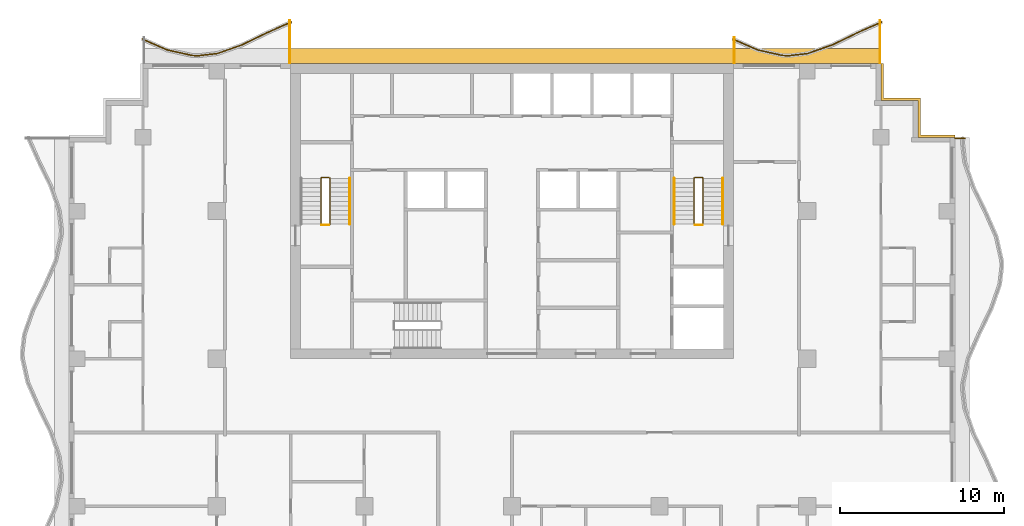
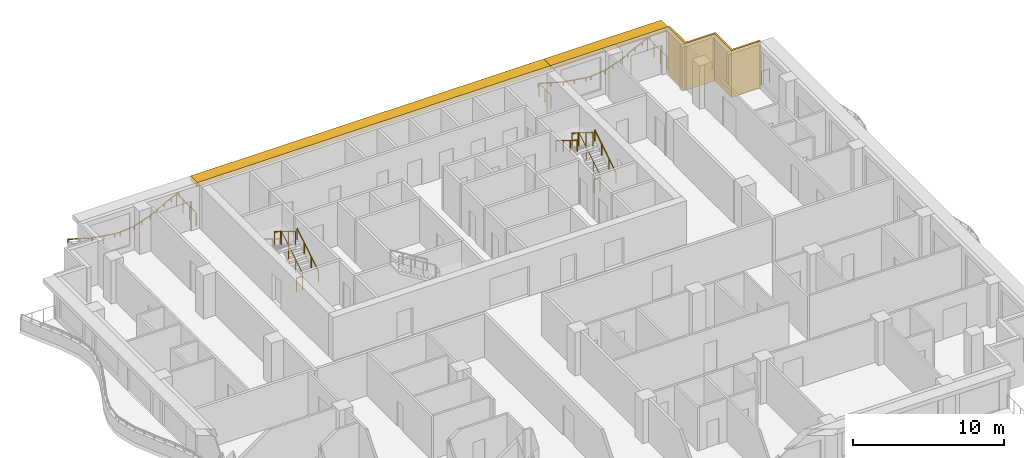
# One storey, part 11 of 11: 13 railings, 3 shading devices.
"""IFC4 building model written with IfcOpenShell, lengths in metres."""

import ifcopenshell
import ifcopenshell.guid

model = None  # the IFC model being written
_history = None  # IfcOwnerHistory: only IFC2X3 demands one
_inside = {}  # id of a spatial element -> (the spatial element, [elements in it])
_under = {}  # id of a project, library or spatial element -> (it, [spatial elements below it])
_declared = {}  # id of a project -> (the project, [libraries it declares])
_typed = {}  # id of a type object -> (the type object, [elements of that type])
_made_of = {}  # id of a material, layer set ... -> (it, [elements and type objects made of it])


def new_model(schema):
    """Start an empty IFC model of exactly this schema.

    Asked for "IFC4X3", IfcOpenShell would pick the latest addendum, in which some entities
    have other attributes; the version numbers below select the first issue.
    IFC2X3 requires an IfcOwnerHistory on every rooted entity: one is made here for all.
    """
    global model, _history
    if schema == "IFC4X3":
        model = ifcopenshell.file(schema_version=(4, 3, 0, 0))
    else:
        model = ifcopenshell.file(schema=schema)
    _inside.clear()
    _under.clear()
    _declared.clear()
    _typed.clear()
    _made_of.clear()
    _history = None
    if model.schema == "IFC2X3":
        org = make("IfcOrganization", Name="unknown")
        user = make(
            "IfcPersonAndOrganization",
            ThePerson=make("IfcPerson", FamilyName="unknown"),
            TheOrganization=org,
        )
        app = make(
            "IfcApplication",
            ApplicationDeveloper=org,
            Version="unknown",
            ApplicationFullName="unknown",
            ApplicationIdentifier="unknown",
        )
        _history = make(
            "IfcOwnerHistory",
            OwningUser=user,
            OwningApplication=app,
            ChangeAction="ADDED",
            CreationDate=0,
        )
    return model


def make(cls, **values):
    """One entity of the class cls with the attributes given. An attribute that is None is left unset."""
    return model.create_entity(
        cls, **{name: value for name, value in values.items() if value is not None}
    )


def rooted(cls, **values):
    """An entity with a GlobalId (a new one), such as an element, a storey or a relation."""
    return make(cls, GlobalId=ifcopenshell.guid.new(), OwnerHistory=_history, **values)


def si_unit(unit_type, name, prefix=None):
    """IfcSIUnit, for example si_unit("LENGTHUNIT", "METRE", prefix="MILLI")."""
    return make("IfcSIUnit", UnitType=unit_type, Prefix=prefix, Name=name)


def assignment(units):
    """IfcUnitAssignment: the units of a project."""
    return None if units is None else make("IfcUnitAssignment", Units=units)


def point(xyz):
    """IfcCartesianPoint."""
    return None if xyz is None else make("IfcCartesianPoint", Coordinates=xyz)


def direction(xyz):
    """IfcDirection."""
    return None if xyz is None else make("IfcDirection", DirectionRatios=xyz)


def frame(location, z_axis=None, x_axis=None):
    """IfcAxis2Placement3D, a coordinate frame: its origin and axes. An axis left out is left unset."""
    return make(
        "IfcAxis2Placement3D",
        Location=point(location),
        Axis=direction(z_axis),
        RefDirection=direction(x_axis),
    )


def frame_2d(location, x_axis=None):
    """IfcAxis2Placement2D, a coordinate frame in the plane: its origin and x axis."""
    return make(
        "IfcAxis2Placement2D", Location=point(location), RefDirection=direction(x_axis)
    )


def origin():
    """The frame at (0, 0, 0) with its axes left unset."""
    return frame((0.0, 0.0, 0.0))


def origin_2d():
    """The frame at (0, 0) in the plane with its x axis left unset."""
    return frame_2d((0.0, 0.0))


def place(relative_to, where):
    """IfcLocalPlacement: puts the frame where relative to a parent placement (None: the world)."""
    return make(
        "IfcLocalPlacement", PlacementRelTo=relative_to, RelativePlacement=where
    )


def context(
    kind, dimensions, precision=None, world=None, true_north=None, identifier=None
):
    """IfcGeometricRepresentationContext, for example the 3D "Model" context."""
    return make(
        "IfcGeometricRepresentationContext",
        ContextIdentifier=identifier,
        ContextType=kind,
        CoordinateSpaceDimension=dimensions,
        Precision=precision,
        WorldCoordinateSystem=world,
        TrueNorth=true_north,
    )


def subcontext(parent, identifier, kind, view, scale=None):
    """IfcGeometricRepresentationSubContext, for example "Body" below "Model"."""
    return make(
        "IfcGeometricRepresentationSubContext",
        ContextIdentifier=identifier,
        ContextType=kind,
        ParentContext=parent,
        TargetScale=scale,
        TargetView=view,
    )


def project(units=None, contexts=None):
    """IfcProject with its units and contexts."""
    return rooted(
        "IfcProject",
        Name="project",
        RepresentationContexts=contexts,
        UnitsInContext=assignment(units),
    )


def spatial(cls, under=None, at=None, **own):
    """A site, building, storey or space (cls), placed at a placement, below another one or the project."""
    s = rooted(cls, ObjectPlacement=at, **own)
    if under is not None:
        _under.setdefault(under.id(), (under, []))[1].append(s)
    return s


def polyline(points):
    """IfcPolyline through the points."""
    return make("IfcPolyline", Points=[point(p) for p in points])


def profile(cls, at=None, kind="AREA", **sizes):
    """A parametric profile (cls). Its sizes go by their IFC names, for example OverallWidth=200.0."""
    return make(cls, ProfileType=kind, Position=at, **sizes)


def rectangle(**sizes):
    """IfcRectangleProfileDef."""
    return profile("IfcRectangleProfileDef", **sizes)


def circle(**sizes):
    """IfcCircleProfileDef."""
    return profile("IfcCircleProfileDef", **sizes)


def outline(outer, holes=None, kind="AREA"):
    """IfcArbitraryClosedProfileDef: a profile drawn as a closed curve; with holes, ...WithVoids."""
    if holes is None:
        return make("IfcArbitraryClosedProfileDef", ProfileType=kind, OuterCurve=outer)
    return make(
        "IfcArbitraryProfileDefWithVoids",
        ProfileType=kind,
        OuterCurve=outer,
        InnerCurves=holes,
    )


def extrude(swept, where, along, depth):
    """IfcExtrudedAreaSolid: the profile swept, set in the frame where, extruded along a direction by depth."""
    return make(
        "IfcExtrudedAreaSolid",
        SweptArea=swept,
        Position=where,
        ExtrudedDirection=direction(along),
        Depth=depth,
    )


def shape(context_of_items, identifier, shape_type, items):
    """IfcShapeRepresentation: the items that make up one representation, for example the "Body"."""
    return make(
        "IfcShapeRepresentation",
        ContextOfItems=context_of_items,
        RepresentationIdentifier=identifier,
        RepresentationType=shape_type,
        Items=items,
    )


def material(Name=None, Category=None):
    """IfcMaterial."""
    return make("IfcMaterial", Name=Name, Category=Category)


def layer(
    of_material, thickness, ventilated=None, Name=None, Category=None, Priority=None
):
    """IfcMaterialLayer: one layer of a wall or slab, of a material (None: an air gap)."""
    return make(
        "IfcMaterialLayer",
        Material=of_material,
        LayerThickness=thickness,
        IsVentilated=ventilated,
        Name=Name,
        Category=Category,
        Priority=Priority,
    )


def layer_set(layers, Name=None):
    """IfcMaterialLayerSet."""
    return make("IfcMaterialLayerSet", MaterialLayers=layers, LayerSetName=Name)


def made_of(thing, what):
    """Note that an element or type object is made of a material, layer set ...; save() writes the relation."""
    if what is not None:
        _made_of.setdefault(what.id(), (what, []))[1].append(thing)
    return thing


def type_object(cls, material=None, **own):
    """A type object (cls), such as IfcWallType, which elements share."""
    return made_of(rooted(cls, **own), material)


def element(
    cls,
    number,
    at=None,
    inside=None,
    cuts=None,
    type_object=None,
    material=None,
    context=None,
    identifier="Body",
    shape_type=None,
    held_by="IfcProductDefinitionShape",
    body=None,
    shapes=None,
    **own,
):
    """One element of the class cls, such as IfcWall. Its Tag is "e" and its number.

    at: its placement. inside: the storey or other place that contains it. cuts: it is an
    opening in that element (IfcRelVoidsElement). A single representation is given by context,
    identifier, shape_type and body (its items); several are given by shapes. held_by: the class
    of the entity that holds the representations. save() writes the other relations.
    """
    e = rooted(cls, Tag="e%d" % number, ObjectPlacement=at, **own)
    if body is not None:
        shapes = [shape(context, identifier, shape_type, body)]
    if shapes is not None:
        e.Representation = make(held_by, Representations=shapes)
    if inside is not None:
        _inside.setdefault(inside.id(), (inside, []))[1].append(e)
    if cuts is not None:
        rooted(
            "IfcRelVoidsElement", RelatingBuildingElement=cuts, RelatedOpeningElement=e
        )
    if type_object is not None:
        _typed.setdefault(type_object.id(), (type_object, []))[1].append(e)
    return made_of(e, material)


def aggregate(whole, parts):
    """IfcRelAggregates: a whole, such as a stair, and the parts it consists of."""
    return rooted("IfcRelAggregates", RelatingObject=whole, RelatedObjects=parts)


def save(model, path):
    """Write the relations noted so far, then the file.

    IfcRelAggregates (storeys below a building ...), IfcRelContainedInSpatialStructure (elements
    in a storey), IfcRelDefinesByType, IfcRelAssociatesMaterial and IfcRelDeclares: one each for
    every whole, place, type object, material and project.
    """
    for whole, parts in _under.values():
        aggregate(whole, parts)
    for where, things in _inside.values():
        rooted(
            "IfcRelContainedInSpatialStructure",
            RelatedElements=things,
            RelatingStructure=where,
        )
    for kind, things in _typed.values():
        rooted("IfcRelDefinesByType", RelatedObjects=things, RelatingType=kind)
    for what, things in _made_of.values():
        rooted("IfcRelAssociatesMaterial", RelatedObjects=things, RelatingMaterial=what)
    for by, libraries in _declared.values():
        rooted("IfcRelDeclares", RelatingContext=by, RelatedDefinitions=libraries)
    model.write(path)


model = new_model("IFC4")

# Units and contexts
model_context = context("Model", 3, precision=1e-05, world=origin(), true_north=direction((0.0, 1.0)))
body_context = subcontext(model_context, "Body", "Model", "MODEL_VIEW")
ifc_project = project(units=[si_unit("LENGTHUNIT", "METRE"), si_unit("AREAUNIT", "SQUARE_METRE"), si_unit("VOLUMEUNIT", "CUBIC_METRE"), si_unit("PLANEANGLEUNIT", "RADIAN"), si_unit("MASSUNIT", "GRAM", prefix="KILO")], contexts=[model_context])

# Site, building, storey
site_placement = place(None, origin())
site = spatial("IfcSite", under=ifc_project, at=site_placement, CompositionType="ELEMENT")
building_placement = place(site_placement, origin())
building = spatial("IfcBuilding", under=site, at=building_placement, Name="Orbiselva Terraces", CompositionType="ELEMENT")
storey_placement = place(building_placement, frame((0.0, 0.0, 222.4)))
storey = spatial("IfcBuildingStorey", under=building, at=storey_placement, Name="L56", CompositionType="ELEMENT", Elevation=222.4)

# Railings
ifc_material_1 = material(Name="Stainless steel", Category="steel")
railing_type_1 = type_object("IfcRailingType", Name="CORE-GUARD-1100", PredefinedType="GUARDRAIL", material=ifc_material_1)
railing_1_placement = place(storey_placement, frame((-11.1, 12.7, 0.172727)))
element("IfcRailing", 1, at=railing_1_placement, inside=storey, type_object=railing_type_1, Name="L56 S1 stair guard 1", PredefinedType="GUARDRAIL", context=body_context, shape_type="SweptSolid", body=[
    extrude(circle(Radius=0.024, at=origin_2d()), frame((0.0, 0.0, 1.081), z_axis=(0.0, 0.851088519012, 0.52502222125), x_axis=(-1.0, 0.0, 0.0)), (0.0, 0.0, 1.0), 3.289905),
    extrude(circle(Radius=0.024, at=origin_2d()), frame((0.0, 2.8, 2.808273), z_axis=(-0.707106781187, 0.707106781187, 0.0), x_axis=(-0.707106781187, -0.707106781187, 0.0)), (0.0, 0.0, 1.0), 0.070711),
    extrude(circle(Radius=0.024, at=origin_2d()), frame((-0.05, 2.85, 2.808273), z_axis=(-1.0, 0.0, 0.0), x_axis=(0.0, -1.0, 0.0)), (0.0, 0.0, 1.0), 0.45),
    extrude(circle(Radius=0.024, at=origin_2d()), frame((-0.5, 2.85, 2.808273), z_axis=(-0.267894925557, -0.267894925557, 0.925453736133), x_axis=(0.707106781187, -0.707106781187, 0.0)), (0.0, 0.0, 1.0), 0.18664),
    extrude(circle(Radius=0.024, at=origin_2d()), frame((-0.55, 2.8, 2.981), z_axis=(0.0, -0.851088519012, 0.52502222125), x_axis=(1.0, 0.0, 0.0)), (0.0, 0.0, 1.0), 3.289905),
    extrude(circle(Radius=0.021, at=origin_2d()), origin(), (0.0, 0.0, 1.0), 1.057),
    extrude(circle(Radius=0.021, at=origin_2d()), frame((0.0, 0.933333, 0.575758)), (0.0, 0.0, 1.0), 1.057),
    extrude(circle(Radius=0.021, at=origin_2d()), frame((0.0, 1.866667, 1.151515)), (0.0, 0.0, 1.0), 1.057),
    extrude(circle(Radius=0.021, at=origin_2d()), frame((0.0, 2.8, 1.727273)), (0.0, 0.0, 1.0), 1.057),
    extrude(circle(Radius=0.021, at=origin_2d()), frame((-0.05, 2.85, 1.727273)), (0.0, 0.0, 1.0), 1.057),
    extrude(circle(Radius=0.021, at=origin_2d()), frame((-0.5, 2.85, 1.727273)), (0.0, 0.0, 1.0), 1.057),
    extrude(circle(Radius=0.021, at=origin_2d()), frame((-0.55, 2.8, 1.9)), (0.0, 0.0, 1.0), 1.057),
    extrude(circle(Radius=0.021, at=origin_2d()), frame((-0.55, 1.866667, 2.475758)), (0.0, 0.0, 1.0), 1.057),
    extrude(circle(Radius=0.021, at=origin_2d()), frame((-0.55, 0.933333, 3.051515)), (0.0, 0.0, 1.0), 1.057),
    extrude(circle(Radius=0.021, at=origin_2d()), frame((-0.55, 0.0, 3.627273)), (0.0, 0.0, 1.0), 1.057),
])
railing_2_placement = place(storey_placement, frame((-11.15, 12.65, 0.0)))
element("IfcRailing", 2, at=railing_2_placement, inside=storey, type_object=railing_type_1, Name="L56 S1 stair guard 2", PredefinedType="GUARDRAIL", context=body_context, shape_type="SweptSolid", body=[
    extrude(circle(Radius=0.024, at=origin_2d()), frame((0.0, 0.0, 1.081), z_axis=(-1.0, 0.0, 0.0), x_axis=(0.0, -1.0, 0.0)), (0.0, 0.0, 1.0), 0.45),
    extrude(circle(Radius=0.021, at=origin_2d()), origin(), (0.0, 0.0, 1.0), 1.057),
    extrude(circle(Radius=0.021, at=origin_2d()), frame((-0.45, 0.0, 0.0)), (0.0, 0.0, 1.0), 1.057),
])
railing_3_placement = place(storey_placement, frame((11.65, 12.7, 0.172727)))
element("IfcRailing", 3, at=railing_3_placement, inside=storey, type_object=railing_type_1, Name="L56 S2 stair guard 1", PredefinedType="GUARDRAIL", context=body_context, shape_type="SweptSolid", body=[
    extrude(circle(Radius=0.024, at=origin_2d()), frame((0.0, 0.0, 1.081), z_axis=(0.0, 0.851088519012, 0.52502222125), x_axis=(-1.0, 0.0, 0.0)), (0.0, 0.0, 1.0), 3.289905),
    extrude(circle(Radius=0.024, at=origin_2d()), frame((0.0, 2.8, 2.808273), z_axis=(-0.707106781187, 0.707106781187, 0.0), x_axis=(-0.707106781187, -0.707106781187, 0.0)), (0.0, 0.0, 1.0), 0.070711),
    extrude(circle(Radius=0.024, at=origin_2d()), frame((-0.05, 2.85, 2.808273), z_axis=(-1.0, 0.0, 0.0), x_axis=(0.0, -1.0, 0.0)), (0.0, 0.0, 1.0), 0.45),
    extrude(circle(Radius=0.024, at=origin_2d()), frame((-0.5, 2.85, 2.808273), z_axis=(-0.267894925557, -0.267894925557, 0.925453736133), x_axis=(0.707106781187, -0.707106781187, 0.0)), (0.0, 0.0, 1.0), 0.18664),
    extrude(circle(Radius=0.024, at=origin_2d()), frame((-0.55, 2.8, 2.981), z_axis=(0.0, -0.851088519012, 0.52502222125), x_axis=(1.0, 0.0, 0.0)), (0.0, 0.0, 1.0), 3.289905),
    extrude(circle(Radius=0.021, at=origin_2d()), origin(), (0.0, 0.0, 1.0), 1.057),
    extrude(circle(Radius=0.021, at=origin_2d()), frame((0.0, 0.933333, 0.575758)), (0.0, 0.0, 1.0), 1.057),
    extrude(circle(Radius=0.021, at=origin_2d()), frame((0.0, 1.866667, 1.151515)), (0.0, 0.0, 1.0), 1.057),
    extrude(circle(Radius=0.021, at=origin_2d()), frame((0.0, 2.8, 1.727273)), (0.0, 0.0, 1.0), 1.057),
    extrude(circle(Radius=0.021, at=origin_2d()), frame((-0.05, 2.85, 1.727273)), (0.0, 0.0, 1.0), 1.057),
    extrude(circle(Radius=0.021, at=origin_2d()), frame((-0.5, 2.85, 1.727273)), (0.0, 0.0, 1.0), 1.057),
    extrude(circle(Radius=0.021, at=origin_2d()), frame((-0.55, 2.8, 1.9)), (0.0, 0.0, 1.0), 1.057),
    extrude(circle(Radius=0.021, at=origin_2d()), frame((-0.55, 1.866667, 2.475758)), (0.0, 0.0, 1.0), 1.057),
    extrude(circle(Radius=0.021, at=origin_2d()), frame((-0.55, 0.933333, 3.051515)), (0.0, 0.0, 1.0), 1.057),
    extrude(circle(Radius=0.021, at=origin_2d()), frame((-0.55, 0.0, 3.627273)), (0.0, 0.0, 1.0), 1.057),
])
railing_4_placement = place(storey_placement, frame((11.6, 12.65, 0.0)))
element("IfcRailing", 4, at=railing_4_placement, inside=storey, type_object=railing_type_1, Name="L56 S2 stair guard 2", PredefinedType="GUARDRAIL", context=body_context, shape_type="SweptSolid", body=[
    extrude(circle(Radius=0.024, at=origin_2d()), frame((0.0, 0.0, 1.081), z_axis=(-1.0, 0.0, 0.0), x_axis=(0.0, -1.0, 0.0)), (0.0, 0.0, 1.0), 0.45),
    extrude(circle(Radius=0.021, at=origin_2d()), origin(), (0.0, 0.0, 1.0), 1.057),
    extrude(circle(Radius=0.021, at=origin_2d()), frame((-0.45, 0.0, 0.0)), (0.0, 0.0, 1.0), 1.057),
])
railing_type_2 = type_object("IfcRailingType", Name="CORE-HANDRAIL-900", PredefinedType="HANDRAIL", material=ifc_material_1)
for number, where, name in (
    (5, (-9.9, 12.7, 0.172727), "L56 S1 stair handrail 1"),
    (6, (12.85, 12.7, 0.172727), "L56 S2 stair handrail 1"),
):
    element("IfcRailing", number, at=place(storey_placement, frame(where)), inside=storey, type_object=railing_type_2, Name=name, PredefinedType="HANDRAIL", context=body_context, shape_type="SweptSolid", body=[
        extrude(circle(Radius=0.024, at=origin_2d()), frame((0.0, 0.0, 0.876), z_axis=(0.0, 0.851088519012, 0.52502222125), x_axis=(-1.0, 0.0, 0.0)), (0.0, 0.0, 1.0), 3.289905),
        extrude(circle(Radius=0.021, at=origin_2d()), origin(), (0.0, 0.0, 1.0), 0.852),
        extrude(circle(Radius=0.021, at=origin_2d()), frame((0.0, 0.933333, 0.575758)), (0.0, 0.0, 1.0), 0.852),
        extrude(circle(Radius=0.021, at=origin_2d()), frame((0.0, 1.866667, 1.151515)), (0.0, 0.0, 1.0), 0.852),
        extrude(circle(Radius=0.021, at=origin_2d()), frame((0.0, 2.8, 1.727273)), (0.0, 0.0, 1.0), 0.852),
    ])
railing_5_placement = place(storey_placement, frame((9.9, 15.5, 2.072727)))
element("IfcRailing", 7, at=railing_5_placement, inside=storey, type_object=railing_type_2, Name="L56 S2 stair handrail 2", PredefinedType="HANDRAIL", context=body_context, shape_type="SweptSolid", body=[
    extrude(circle(Radius=0.024, at=origin_2d()), frame((0.0, 0.0, 0.876), z_axis=(0.0, -0.851088519012, 0.52502222125), x_axis=(1.0, 0.0, 0.0)), (0.0, 0.0, 1.0), 3.289905),
    extrude(circle(Radius=0.021, at=origin_2d()), origin(), (0.0, 0.0, 1.0), 0.852),
    extrude(circle(Radius=0.021, at=origin_2d()), frame((0.0, -0.933333, 0.575758)), (0.0, 0.0, 1.0), 0.852),
    extrude(circle(Radius=0.021, at=origin_2d()), frame((0.0, -1.866667, 1.151515)), (0.0, 0.0, 1.0), 0.852),
    extrude(circle(Radius=0.021, at=origin_2d()), frame((0.0, -2.8, 1.727273)), (0.0, 0.0, 1.0), 0.852),
])
ifc_material_2 = material(Name="Bonded two-ply safety glass balustrade, stainless steel posts", Category="steel")
railing_type_3 = type_object("IfcRailingType", Name="ENV-BALUSTRADE-1200", PredefinedType="BALUSTRADE", material=ifc_material_2)
railing_6_placement = place(storey_placement, frame((22.550394, 25.034136, 0.9)))
element("IfcRailing", 8, at=railing_6_placement, inside=storey, type_object=railing_type_3, Name="Balcony balustrade L56 NE", PredefinedType="BALUSTRADE", context=body_context, shape_type="SweptSolid", body=[
    extrude(outline(polyline([(0.028868, 0.0), (0.014434, 0.025), (-0.014434, 0.025), (-0.028868, 0.0), (-0.014434, -0.025), (0.014434, -0.025), (0.028868, 0.0)])), frame((0.0, 0.0, 0.275), z_axis=(-0.915133498047, -0.403150940408, 0.0), x_axis=(0.403150940408, -0.915133498047, 0.0)), (0.0, 0.0, 1.0), 1.636648),
    extrude(outline(polyline([(0.028868, 0.0), (0.014434, 0.025), (-0.014434, 0.025), (-0.028868, 0.0), (-0.014434, -0.025), (0.014434, -0.025), (0.028868, 0.0)])), frame((-1.497751, -0.659816, 0.275), z_axis=(-0.898578870221, -0.438812048596, 0.0), x_axis=(0.438812048596, -0.898578870221, 0.0)), (0.0, 0.0, 1.0), 1.674225),
    extrude(outline(polyline([(0.028868, 0.0), (0.014434, 0.025), (-0.014434, 0.025), (-0.028868, 0.0), (-0.014434, -0.025), (0.014434, -0.025), (0.028868, 0.0)])), frame((-3.002174, -1.394486, 0.275), z_axis=(-0.943972332783, -0.330024597479, 0.0), x_axis=(0.330024597479, -0.943972332783, 0.0)), (0.0, 0.0, 1.0), 1.610253),
    extrude(outline(polyline([(0.028868, 0.0), (0.014434, 0.025), (-0.014434, 0.025), (-0.028868, 0.0), (-0.014434, -0.025), (0.014434, -0.025), (0.028868, 0.0)])), frame((-4.522208, -1.925909, 0.275), z_axis=(-0.993309551734, -0.115482182324, 0.0), x_axis=(0.115482182324, -0.993309551734, 0.0)), (0.0, 0.0, 1.0), 1.156135),
    extrude(outline(polyline([(0.028868, 0.0), (0.014434, 0.025), (-0.014434, 0.025), (-0.028868, 0.0), (-0.014434, -0.025), (0.014434, -0.025), (0.028868, 0.0)])), frame((-5.670608, -2.059422, 0.275), z_axis=(-0.999224734286, 0.03936915532, 0.0), x_axis=(-0.03936915532, -0.999224734286, 0.0)), (0.0, 0.0, 1.0), 0.396376),
    extrude(outline(polyline([(0.028868, 0.0), (0.014434, 0.025), (-0.014434, 0.025), (-0.028868, 0.0), (-0.014434, -0.025), (0.014434, -0.025), (0.028868, 0.0)])), frame((-6.066677, -2.043817, 0.275), z_axis=(-0.97572137947, 0.219015500924, 0.0), x_axis=(-0.219015500924, -0.97572137947, 0.0)), (0.0, 0.0, 1.0), 1.560867),
    extrude(outline(polyline([(0.028868, 0.0), (0.014434, 0.025), (-0.014434, 0.025), (-0.028868, 0.0), (-0.014434, -0.025), (0.014434, -0.025), (0.028868, 0.0)])), frame((-7.589648, -1.701963, 0.275), z_axis=(-0.915133578754, 0.403150757208, 0.0), x_axis=(-0.403150757208, -0.915133578754, 0.0)), (0.0, 0.0, 1.0), 1.651278),
    extrude(rectangle(XDim=0.05, YDim=0.05, at=origin_2d()), origin(), (0.0, 0.0, 1.0), 0.25),
    extrude(rectangle(XDim=0.05, YDim=0.05, at=origin_2d()), frame((-0.748876, -0.329908, 0.0)), (0.0, 0.0, 1.0), 0.25),
    extrude(rectangle(XDim=0.05, YDim=0.05, at=origin_2d()), frame((-1.497751, -0.659816, 0.0)), (0.0, 0.0, 1.0), 0.25),
    extrude(rectangle(XDim=0.05, YDim=0.05, at=origin_2d()), frame((-2.249963, -1.027151, 0.0)), (0.0, 0.0, 1.0), 0.25),
    extrude(rectangle(XDim=0.05, YDim=0.05, at=origin_2d()), frame((-3.002174, -1.394486, 0.0)), (0.0, 0.0, 1.0), 0.25),
    extrude(rectangle(XDim=0.05, YDim=0.05, at=origin_2d()), frame((-3.762191, -1.660198, 0.0)), (0.0, 0.0, 1.0), 0.25),
    extrude(rectangle(XDim=0.05, YDim=0.05, at=origin_2d()), frame((-4.522208, -1.925909, 0.0)), (0.0, 0.0, 1.0), 0.25),
    extrude(rectangle(XDim=0.05, YDim=0.05, at=origin_2d()), frame((-5.670608, -2.059422, 0.0)), (0.0, 0.0, 1.0), 0.25),
    extrude(rectangle(XDim=0.05, YDim=0.05, at=origin_2d()), frame((-6.066677, -2.043817, 0.0)), (0.0, 0.0, 1.0), 0.25),
    extrude(rectangle(XDim=0.05, YDim=0.05, at=origin_2d()), frame((-6.828163, -1.87289, 0.0)), (0.0, 0.0, 1.0), 0.25),
    extrude(rectangle(XDim=0.05, YDim=0.05, at=origin_2d()), frame((-7.589648, -1.701963, 0.0)), (0.0, 0.0, 1.0), 0.25),
    extrude(rectangle(XDim=0.05, YDim=0.05, at=origin_2d()), frame((-8.345218, -1.369106, 0.0)), (0.0, 0.0, 1.0), 0.25),
    extrude(rectangle(XDim=0.05, YDim=0.05, at=origin_2d()), frame((-9.100788, -1.036249, 0.0)), (0.0, 0.0, 1.0), 0.25),
])
railing_7_placement = place(storey_placement, frame((-13.449606, 25.034136, 0.9)))
element("IfcRailing", 9, at=railing_7_placement, inside=storey, type_object=railing_type_3, Name="Balcony balustrade L56 NW", PredefinedType="BALUSTRADE", context=body_context, shape_type="SweptSolid", body=[
    extrude(outline(polyline([(0.028868, 0.0), (0.014434, 0.025), (-0.014434, 0.025), (-0.028868, 0.0), (-0.014434, -0.025), (0.014434, -0.025), (0.028868, 0.0)])), frame((0.0, 0.0, 0.275), z_axis=(-0.915133498047, -0.403150940408, 0.0), x_axis=(0.403150940408, -0.915133498047, 0.0)), (0.0, 0.0, 1.0), 1.636648),
    extrude(outline(polyline([(0.028868, 0.0), (0.014434, 0.025), (-0.014434, 0.025), (-0.028868, 0.0), (-0.014434, -0.025), (0.014434, -0.025), (0.028868, 0.0)])), frame((-1.497751, -0.659816, 0.275), z_axis=(-0.898578870221, -0.438812048596, 0.0), x_axis=(0.438812048596, -0.898578870221, 0.0)), (0.0, 0.0, 1.0), 1.674225),
    extrude(outline(polyline([(0.028868, 0.0), (0.014434, 0.025), (-0.014434, 0.025), (-0.028868, 0.0), (-0.014434, -0.025), (0.014434, -0.025), (0.028868, 0.0)])), frame((-3.002174, -1.394486, 0.275), z_axis=(-0.943972332783, -0.330024597479, 0.0), x_axis=(0.330024597479, -0.943972332783, 0.0)), (0.0, 0.0, 1.0), 1.610253),
    extrude(outline(polyline([(0.028868, 0.0), (0.014434, 0.025), (-0.014434, 0.025), (-0.028868, 0.0), (-0.014434, -0.025), (0.014434, -0.025), (0.028868, 0.0)])), frame((-4.522208, -1.925909, 0.275), z_axis=(-0.993309551734, -0.115482182324, 0.0), x_axis=(0.115482182324, -0.993309551734, 0.0)), (0.0, 0.0, 1.0), 1.156135),
    extrude(outline(polyline([(0.028868, 0.0), (0.014434, 0.025), (-0.014434, 0.025), (-0.028868, 0.0), (-0.014434, -0.025), (0.014434, -0.025), (0.028868, 0.0)])), frame((-5.670608, -2.059422, 0.275), z_axis=(-0.999224734286, 0.03936915532, 0.0), x_axis=(-0.03936915532, -0.999224734286, 0.0)), (0.0, 0.0, 1.0), 0.396376),
    extrude(outline(polyline([(0.028868, 0.0), (0.014434, 0.025), (-0.014434, 0.025), (-0.028868, 0.0), (-0.014434, -0.025), (0.014434, -0.025), (0.028868, 0.0)])), frame((-6.066677, -2.043817, 0.275), z_axis=(-0.97572137947, 0.219015500924, 0.0), x_axis=(-0.219015500924, -0.97572137947, 0.0)), (0.0, 0.0, 1.0), 1.560867),
    extrude(outline(polyline([(0.028868, 0.0), (0.014434, 0.025), (-0.014434, 0.025), (-0.028868, 0.0), (-0.014434, -0.025), (0.014434, -0.025), (0.028868, 0.0)])), frame((-7.589648, -1.701963, 0.275), z_axis=(-0.915133578754, 0.403150757208, 0.0), x_axis=(-0.403150757208, -0.915133578754, 0.0)), (0.0, 0.0, 1.0), 1.651278),
    extrude(rectangle(XDim=0.05, YDim=0.05, at=origin_2d()), origin(), (0.0, 0.0, 1.0), 0.25),
    extrude(rectangle(XDim=0.05, YDim=0.05, at=origin_2d()), frame((-0.748876, -0.329908, 0.0)), (0.0, 0.0, 1.0), 0.25),
    extrude(rectangle(XDim=0.05, YDim=0.05, at=origin_2d()), frame((-1.497751, -0.659816, 0.0)), (0.0, 0.0, 1.0), 0.25),
    extrude(rectangle(XDim=0.05, YDim=0.05, at=origin_2d()), frame((-2.249963, -1.027151, 0.0)), (0.0, 0.0, 1.0), 0.25),
    extrude(rectangle(XDim=0.05, YDim=0.05, at=origin_2d()), frame((-3.002174, -1.394486, 0.0)), (0.0, 0.0, 1.0), 0.25),
    extrude(rectangle(XDim=0.05, YDim=0.05, at=origin_2d()), frame((-3.762191, -1.660198, 0.0)), (0.0, 0.0, 1.0), 0.25),
    extrude(rectangle(XDim=0.05, YDim=0.05, at=origin_2d()), frame((-4.522208, -1.925909, 0.0)), (0.0, 0.0, 1.0), 0.25),
    extrude(rectangle(XDim=0.05, YDim=0.05, at=origin_2d()), frame((-5.670608, -2.059422, 0.0)), (0.0, 0.0, 1.0), 0.25),
    extrude(rectangle(XDim=0.05, YDim=0.05, at=origin_2d()), frame((-6.066677, -2.043817, 0.0)), (0.0, 0.0, 1.0), 0.25),
    extrude(rectangle(XDim=0.05, YDim=0.05, at=origin_2d()), frame((-6.828163, -1.87289, 0.0)), (0.0, 0.0, 1.0), 0.25),
    extrude(rectangle(XDim=0.05, YDim=0.05, at=origin_2d()), frame((-7.589648, -1.701963, 0.0)), (0.0, 0.0, 1.0), 0.25),
    extrude(rectangle(XDim=0.05, YDim=0.05, at=origin_2d()), frame((-8.345218, -1.369106, 0.0)), (0.0, 0.0, 1.0), 0.25),
    extrude(rectangle(XDim=0.05, YDim=0.05, at=origin_2d()), frame((-9.100788, -1.036249, 0.0)), (0.0, 0.0, 1.0), 0.25),
])
ifc_material_3 = material(Name="Stainless steel rail and posts", Category="steel")
railing_type_4 = type_object("IfcRailingType", Name="ENV-GUARD-1105", PredefinedType="BALUSTRADE", material=ifc_material_3)
railing_8_placement = place(storey_placement, frame((27.610431, 17.94, 0.0)))
element("IfcRailing", 10, at=railing_8_placement, inside=storey, type_object=railing_type_4, Name="Balcony end guard L56 E", PredefinedType="BALUSTRADE", context=body_context, shape_type="SweptSolid", body=[
    extrude(outline(polyline([(0.028868, 0.0), (0.014434, 0.025), (-0.014434, 0.025), (-0.028868, 0.0), (-0.014434, -0.025), (0.014434, -0.025), (0.028868, 0.0)])), frame((0.0, 0.0, 1.08), z_axis=(-1.0, 0.0, 0.0), x_axis=(0.0, -1.0, 0.0)), (0.0, 0.0, 1.0), 0.585431),
    extrude(rectangle(XDim=0.05, YDim=0.05, at=origin_2d()), origin(), (0.0, 0.0, 1.0), 1.055),
    extrude(rectangle(XDim=0.05, YDim=0.05, at=origin_2d()), frame((-0.585431, 0.0, 0.0)), (0.0, 0.0, 1.0), 1.055),
])
railing_9_placement = place(storey_placement, frame((22.44, 25.126937, 0.0)))
element("IfcRailing", 11, at=railing_9_placement, inside=storey, type_object=railing_type_4, Name="Balcony end guard L56 NE", PredefinedType="BALUSTRADE", context=body_context, shape_type="SweptSolid", body=[
    extrude(outline(polyline([(0.028868, 0.0), (0.014434, 0.025), (-0.014434, 0.025), (-0.028868, 0.0), (-0.014434, -0.025), (0.014434, -0.025), (0.028868, 0.0)])), frame((0.0, 0.0, 1.08), z_axis=(0.0, -1.0, 0.0), x_axis=(1.0, 0.0, 0.0)), (0.0, 0.0, 1.0), 2.601937),
    extrude(rectangle(XDim=0.05, YDim=0.05, at=origin_2d()), origin(), (0.0, 0.0, 1.0), 1.055),
    extrude(rectangle(XDim=0.05, YDim=0.05, at=origin_2d()), frame((0.0, -0.867312, 0.0)), (0.0, 0.0, 1.0), 1.055),
    extrude(rectangle(XDim=0.05, YDim=0.05, at=origin_2d()), frame((0.0, -1.734625, 0.0)), (0.0, 0.0, 1.0), 1.055),
    extrude(rectangle(XDim=0.05, YDim=0.05, at=origin_2d()), frame((0.0, -2.601937, 0.0)), (0.0, 0.0, 1.0), 1.055),
])
railing_10_placement = place(storey_placement, frame((13.56, 24.082553, 0.0)))
element("IfcRailing", 12, at=railing_10_placement, inside=storey, type_object=railing_type_4, Name="Balcony end guard L56 NE", PredefinedType="BALUSTRADE", context=body_context, shape_type="SweptSolid", body=[
    extrude(outline(polyline([(0.028868, 0.0), (0.014434, 0.025), (-0.014434, 0.025), (-0.028868, 0.0), (-0.014434, -0.025), (0.014434, -0.025), (0.028868, 0.0)])), frame((0.0, 0.0, 1.08), z_axis=(0.0, -1.0, 0.0), x_axis=(1.0, 0.0, 0.0)), (0.0, 0.0, 1.0), 1.557553),
    extrude(rectangle(XDim=0.05, YDim=0.05, at=origin_2d()), origin(), (0.0, 0.0, 1.0), 1.055),
    extrude(rectangle(XDim=0.05, YDim=0.05, at=origin_2d()), frame((0.0, -0.778777, 0.0)), (0.0, 0.0, 1.0), 1.055),
    extrude(rectangle(XDim=0.05, YDim=0.05, at=origin_2d()), frame((0.0, -1.557553, 0.0)), (0.0, 0.0, 1.0), 1.055),
])
railing_11_placement = place(storey_placement, frame((-13.56, 25.126937, 0.0)))
element("IfcRailing", 13, at=railing_11_placement, inside=storey, type_object=railing_type_4, Name="Balcony end guard L56 NW", PredefinedType="BALUSTRADE", context=body_context, shape_type="SweptSolid", body=[
    extrude(outline(polyline([(0.028868, 0.0), (0.014434, 0.025), (-0.014434, 0.025), (-0.028868, 0.0), (-0.014434, -0.025), (0.014434, -0.025), (0.028868, 0.0)])), frame((0.0, 0.0, 1.08), z_axis=(0.0, -1.0, 0.0), x_axis=(1.0, 0.0, 0.0)), (0.0, 0.0, 1.0), 2.601937),
    extrude(rectangle(XDim=0.05, YDim=0.05, at=origin_2d()), origin(), (0.0, 0.0, 1.0), 1.055),
    extrude(rectangle(XDim=0.05, YDim=0.05, at=origin_2d()), frame((0.0, -0.867312, 0.0)), (0.0, 0.0, 1.0), 1.055),
    extrude(rectangle(XDim=0.05, YDim=0.05, at=origin_2d()), frame((0.0, -1.734625, 0.0)), (0.0, 0.0, 1.0), 1.055),
    extrude(rectangle(XDim=0.05, YDim=0.05, at=origin_2d()), frame((0.0, -2.601937, 0.0)), (0.0, 0.0, 1.0), 1.055),
])

# Shading devices
ifc_material_4 = material(Name="Terracotta louvre screen", Category="masonry")
ifc_layer_1 = layer(ifc_material_4, 0.15)
ifc_layer_set_1 = layer_set([ifc_layer_1], Name="Terracotta louvre screen")
shading_device_type_1 = type_object("IfcShadingDeviceType", Name="ENV-SCREEN-150", PredefinedType="USERDEFINED", material=ifc_layer_set_1)
shading_device_1_placement = place(storey_placement, frame((0.0, 0.0, -0.3)))
element("IfcShadingDevice", 14, at=shading_device_1_placement, inside=storey, type_object=shading_device_type_1, Name="Louvre screen L56 NE", ObjectType="SCREEN", PredefinedType="USERDEFINED", context=body_context, shape_type="SweptSolid", body=[
    extrude(outline(polyline([(27.0, 18.15), (24.9, 18.15), (24.9, 20.4), (22.65, 20.4), (22.65, 22.5), (22.5, 22.5), (22.5, 20.25), (24.75, 20.25), (24.75, 18.0), (27.0, 18.0), (27.0, 18.15)])), origin(), (0.0, 0.0, 1.0), 3.8),
])
ifc_material_5 = material(Name="Terracotta baguette sunshade", Category="masonry")
ifc_layer_2 = layer(ifc_material_5, 0.35)
ifc_layer_set_2 = layer_set([ifc_layer_2], Name="Terracotta baguette sunshade")
shading_device_type_2 = type_object("IfcShadingDeviceType", Name="ENV-SUNSHADE-900x350", PredefinedType="USERDEFINED", material=ifc_layer_set_2)
shading_device_2_placement = place(storey_placement, frame((0.0, 0.0, 3.15)))
element("IfcShadingDevice", 15, at=shading_device_2_placement, inside=storey, type_object=shading_device_type_2, Name="Sunshade band L56 NE", ObjectType="SUNSHADE", PredefinedType="USERDEFINED", context=body_context, shape_type="SweptSolid", body=[
    extrude(outline(polyline([(22.5, 23.4), (13.5, 23.4), (13.5, 22.5), (22.5, 22.5), (22.5, 23.4)])), origin(), (0.0, 0.0, 1.0), 0.35),
])
shading_device_3_placement = place(storey_placement, frame((0.0, 0.0, 3.15)))
element("IfcShadingDevice", 16, at=shading_device_3_placement, inside=storey, type_object=shading_device_type_2, Name="Sunshade band L56 CORE NORTH", ObjectType="SUNSHADE", PredefinedType="USERDEFINED", context=body_context, shape_type="SweptSolid", body=[
    extrude(outline(polyline([(13.5, 23.4), (-13.5, 23.4), (-13.5, 22.5), (13.5, 22.5), (13.5, 23.4)])), origin(), (0.0, 0.0, 1.0), 0.35),
])

save(model, "model.ifc")
